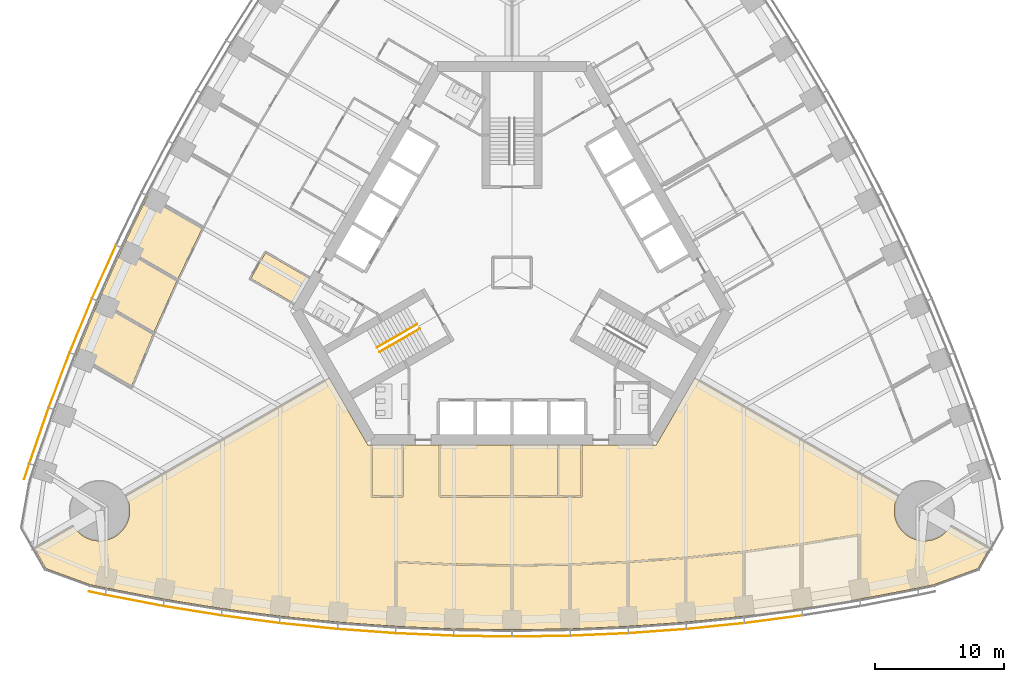
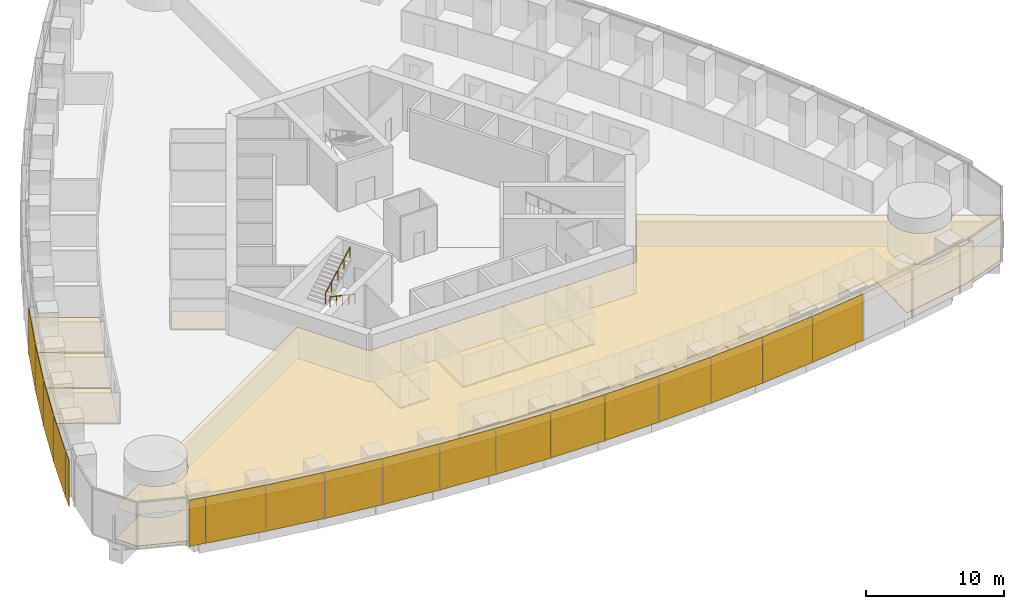
# One storey, part 15 of 19: 18 shading devices, 15 coverings, 2 railings.
"""IFC4 building model written with IfcOpenShell, lengths in metres."""

import ifcopenshell
import ifcopenshell.guid

model = None  # the IFC model being written
_history = None  # IfcOwnerHistory: only IFC2X3 demands one
_inside = {}  # id of a spatial element -> (the spatial element, [elements in it])
_under = {}  # id of a project, library or spatial element -> (it, [spatial elements below it])
_declared = {}  # id of a project -> (the project, [libraries it declares])
_typed = {}  # id of a type object -> (the type object, [elements of that type])
_made_of = {}  # id of a material, layer set ... -> (it, [elements and type objects made of it])


def new_model(schema):
    """Start an empty IFC model of exactly this schema.

    Asked for "IFC4X3", IfcOpenShell would pick the latest addendum, in which some entities
    have other attributes; the version numbers below select the first issue.
    IFC2X3 requires an IfcOwnerHistory on every rooted entity: one is made here for all.
    """
    global model, _history
    if schema == "IFC4X3":
        model = ifcopenshell.file(schema_version=(4, 3, 0, 0))
    else:
        model = ifcopenshell.file(schema=schema)
    _inside.clear()
    _under.clear()
    _declared.clear()
    _typed.clear()
    _made_of.clear()
    _history = None
    if model.schema == "IFC2X3":
        org = make("IfcOrganization", Name="unknown")
        user = make(
            "IfcPersonAndOrganization",
            ThePerson=make("IfcPerson", FamilyName="unknown"),
            TheOrganization=org,
        )
        app = make(
            "IfcApplication",
            ApplicationDeveloper=org,
            Version="unknown",
            ApplicationFullName="unknown",
            ApplicationIdentifier="unknown",
        )
        _history = make(
            "IfcOwnerHistory",
            OwningUser=user,
            OwningApplication=app,
            ChangeAction="ADDED",
            CreationDate=0,
        )
    return model


def make(cls, **values):
    """One entity of the class cls with the attributes given. An attribute that is None is left unset."""
    return model.create_entity(
        cls, **{name: value for name, value in values.items() if value is not None}
    )


def rooted(cls, **values):
    """An entity with a GlobalId (a new one), such as an element, a storey or a relation."""
    return make(cls, GlobalId=ifcopenshell.guid.new(), OwnerHistory=_history, **values)


def si_unit(unit_type, name, prefix=None):
    """IfcSIUnit, for example si_unit("LENGTHUNIT", "METRE", prefix="MILLI")."""
    return make("IfcSIUnit", UnitType=unit_type, Prefix=prefix, Name=name)


def assignment(units):
    """IfcUnitAssignment: the units of a project."""
    return None if units is None else make("IfcUnitAssignment", Units=units)


def point(xyz):
    """IfcCartesianPoint."""
    return None if xyz is None else make("IfcCartesianPoint", Coordinates=xyz)


def direction(xyz):
    """IfcDirection."""
    return None if xyz is None else make("IfcDirection", DirectionRatios=xyz)


def frame(location, z_axis=None, x_axis=None):
    """IfcAxis2Placement3D, a coordinate frame: its origin and axes. An axis left out is left unset."""
    return make(
        "IfcAxis2Placement3D",
        Location=point(location),
        Axis=direction(z_axis),
        RefDirection=direction(x_axis),
    )


def frame_2d(location, x_axis=None):
    """IfcAxis2Placement2D, a coordinate frame in the plane: its origin and x axis."""
    return make(
        "IfcAxis2Placement2D", Location=point(location), RefDirection=direction(x_axis)
    )


def origin():
    """The frame at (0, 0, 0) with its axes left unset."""
    return frame((0.0, 0.0, 0.0))


def origin_2d():
    """The frame at (0, 0) in the plane with its x axis left unset."""
    return frame_2d((0.0, 0.0))


def place(relative_to, where):
    """IfcLocalPlacement: puts the frame where relative to a parent placement (None: the world)."""
    return make(
        "IfcLocalPlacement", PlacementRelTo=relative_to, RelativePlacement=where
    )


def context(
    kind, dimensions, precision=None, world=None, true_north=None, identifier=None
):
    """IfcGeometricRepresentationContext, for example the 3D "Model" context."""
    return make(
        "IfcGeometricRepresentationContext",
        ContextIdentifier=identifier,
        ContextType=kind,
        CoordinateSpaceDimension=dimensions,
        Precision=precision,
        WorldCoordinateSystem=world,
        TrueNorth=true_north,
    )


def subcontext(parent, identifier, kind, view, scale=None):
    """IfcGeometricRepresentationSubContext, for example "Body" below "Model"."""
    return make(
        "IfcGeometricRepresentationSubContext",
        ContextIdentifier=identifier,
        ContextType=kind,
        ParentContext=parent,
        TargetScale=scale,
        TargetView=view,
    )


def project(units=None, contexts=None):
    """IfcProject with its units and contexts."""
    return rooted(
        "IfcProject",
        Name="project",
        RepresentationContexts=contexts,
        UnitsInContext=assignment(units),
    )


def spatial(cls, under=None, at=None, **own):
    """A site, building, storey or space (cls), placed at a placement, below another one or the project."""
    s = rooted(cls, ObjectPlacement=at, **own)
    if under is not None:
        _under.setdefault(under.id(), (under, []))[1].append(s)
    return s


def polyline(points):
    """IfcPolyline through the points."""
    return make("IfcPolyline", Points=[point(p) for p in points])


def profile(cls, at=None, kind="AREA", **sizes):
    """A parametric profile (cls). Its sizes go by their IFC names, for example OverallWidth=200.0."""
    return make(cls, ProfileType=kind, Position=at, **sizes)


def rectangle(**sizes):
    """IfcRectangleProfileDef."""
    return profile("IfcRectangleProfileDef", **sizes)


def circle(**sizes):
    """IfcCircleProfileDef."""
    return profile("IfcCircleProfileDef", **sizes)


def outline(outer, holes=None, kind="AREA"):
    """IfcArbitraryClosedProfileDef: a profile drawn as a closed curve; with holes, ...WithVoids."""
    if holes is None:
        return make("IfcArbitraryClosedProfileDef", ProfileType=kind, OuterCurve=outer)
    return make(
        "IfcArbitraryProfileDefWithVoids",
        ProfileType=kind,
        OuterCurve=outer,
        InnerCurves=holes,
    )


def extrude(swept, where, along, depth):
    """IfcExtrudedAreaSolid: the profile swept, set in the frame where, extruded along a direction by depth."""
    return make(
        "IfcExtrudedAreaSolid",
        SweptArea=swept,
        Position=where,
        ExtrudedDirection=direction(along),
        Depth=depth,
    )


def shape(context_of_items, identifier, shape_type, items):
    """IfcShapeRepresentation: the items that make up one representation, for example the "Body"."""
    return make(
        "IfcShapeRepresentation",
        ContextOfItems=context_of_items,
        RepresentationIdentifier=identifier,
        RepresentationType=shape_type,
        Items=items,
    )


def material(Name=None, Category=None):
    """IfcMaterial."""
    return make("IfcMaterial", Name=Name, Category=Category)


def layer(
    of_material, thickness, ventilated=None, Name=None, Category=None, Priority=None
):
    """IfcMaterialLayer: one layer of a wall or slab, of a material (None: an air gap)."""
    return make(
        "IfcMaterialLayer",
        Material=of_material,
        LayerThickness=thickness,
        IsVentilated=ventilated,
        Name=Name,
        Category=Category,
        Priority=Priority,
    )


def layer_set(layers, Name=None):
    """IfcMaterialLayerSet."""
    return make("IfcMaterialLayerSet", MaterialLayers=layers, LayerSetName=Name)


def made_of(thing, what):
    """Note that an element or type object is made of a material, layer set ...; save() writes the relation."""
    if what is not None:
        _made_of.setdefault(what.id(), (what, []))[1].append(thing)
    return thing


def type_object(cls, material=None, **own):
    """A type object (cls), such as IfcWallType, which elements share."""
    return made_of(rooted(cls, **own), material)


def element(
    cls,
    number,
    at=None,
    inside=None,
    cuts=None,
    type_object=None,
    material=None,
    context=None,
    identifier="Body",
    shape_type=None,
    held_by="IfcProductDefinitionShape",
    body=None,
    shapes=None,
    **own,
):
    """One element of the class cls, such as IfcWall. Its Tag is "e" and its number.

    at: its placement. inside: the storey or other place that contains it. cuts: it is an
    opening in that element (IfcRelVoidsElement). A single representation is given by context,
    identifier, shape_type and body (its items); several are given by shapes. held_by: the class
    of the entity that holds the representations. save() writes the other relations.
    """
    e = rooted(cls, Tag="e%d" % number, ObjectPlacement=at, **own)
    if body is not None:
        shapes = [shape(context, identifier, shape_type, body)]
    if shapes is not None:
        e.Representation = make(held_by, Representations=shapes)
    if inside is not None:
        _inside.setdefault(inside.id(), (inside, []))[1].append(e)
    if cuts is not None:
        rooted(
            "IfcRelVoidsElement", RelatingBuildingElement=cuts, RelatedOpeningElement=e
        )
    if type_object is not None:
        _typed.setdefault(type_object.id(), (type_object, []))[1].append(e)
    return made_of(e, material)


def aggregate(whole, parts):
    """IfcRelAggregates: a whole, such as a stair, and the parts it consists of."""
    return rooted("IfcRelAggregates", RelatingObject=whole, RelatedObjects=parts)


def save(model, path):
    """Write the relations noted so far, then the file.

    IfcRelAggregates (storeys below a building ...), IfcRelContainedInSpatialStructure (elements
    in a storey), IfcRelDefinesByType, IfcRelAssociatesMaterial and IfcRelDeclares: one each for
    every whole, place, type object, material and project.
    """
    for whole, parts in _under.values():
        aggregate(whole, parts)
    for where, things in _inside.values():
        rooted(
            "IfcRelContainedInSpatialStructure",
            RelatedElements=things,
            RelatingStructure=where,
        )
    for kind, things in _typed.values():
        rooted("IfcRelDefinesByType", RelatedObjects=things, RelatingType=kind)
    for what, things in _made_of.values():
        rooted("IfcRelAssociatesMaterial", RelatedObjects=things, RelatingMaterial=what)
    for by, libraries in _declared.values():
        rooted("IfcRelDeclares", RelatingContext=by, RelatedDefinitions=libraries)
    model.write(path)


model = new_model("IFC4")

# Units and contexts
model_context = context("Model", 3, precision=1e-05, world=origin(), true_north=direction((0.0, 1.0)))
body_context = subcontext(model_context, "Body", "Model", "MODEL_VIEW")
ifc_project = project(units=[si_unit("LENGTHUNIT", "METRE"), si_unit("AREAUNIT", "SQUARE_METRE"), si_unit("VOLUMEUNIT", "CUBIC_METRE"), si_unit("PLANEANGLEUNIT", "RADIAN"), si_unit("MASSUNIT", "GRAM", prefix="KILO")], contexts=[model_context])

# Site, building, storey
site_placement = place(None, origin())
site = spatial("IfcSite", under=ifc_project, at=site_placement, CompositionType="ELEMENT")
building_placement = place(site_placement, origin())
building = spatial("IfcBuilding", under=site, at=building_placement, Name="Trefoil Bronze Tower", CompositionType="ELEMENT")
storey_placement = place(building_placement, frame((0.0, 0.0, 20.699951171875)))
storey = spatial("IfcBuildingStorey", under=building, at=storey_placement, Name="L04", CompositionType="ELEMENT", Elevation=20.699951171875)

# Shading devices
ifc_material_1 = material(Name="Perforated bronze sheet", Category="bronze")
ifc_layer_1 = layer(ifc_material_1, 0.0400390625)
ifc_layer_set_1 = layer_set([ifc_layer_1], Name="Bronze solar screen panel")
shading_device_type = type_object("IfcShadingDeviceType", Name="Bronze solar screen panel", PredefinedType="SHUTTER", material=ifc_layer_set_1)
shading_device_1_placement = place(storey_placement, frame((-32.2431640625, -24.91064453125, 0.050048828125), z_axis=(0.0, 0.0, 1.0), x_axis=(0.978302717041, -0.207180582657, 0.0)))
element("IfcShadingDevice", 1, at=shading_device_1_placement, inside=storey, type_object=shading_device_type, Name="Solar screen CW-A L04 F1 bay 1", PredefinedType="SHUTTER", context=body_context, shape_type="SweptSolid", body=[
    extrude(rectangle(XDim=1.260498046875, YDim=0.0400390625, at=origin_2d()), origin(), (0.0, 0.0, 1.0), 4.10009765625),
])
shading_device_2_placement = place(storey_placement, frame((-29.351806640625, -25.478515625, 0.050048828125), z_axis=(0.0, 0.0, 1.0), x_axis=(0.982049823817, -0.188621694249, 0.0)))
element("IfcShadingDevice", 2, at=shading_device_2_placement, inside=storey, type_object=shading_device_type, Name="Solar screen CW-A L04 F1 bay 2", PredefinedType="SHUTTER", context=body_context, shape_type="SweptSolid", body=[
    extrude(rectangle(XDim=4.55224609375, YDim=0.0400390625, at=origin_2d()), origin(), (0.0, 0.0, 1.0), 4.10009765625),
])
shading_device_3_placement = place(storey_placement, frame((-24.836181640625, -26.277099609375, 0.050048828125), z_axis=(0.0, 0.0, 1.0), x_axis=(0.987181315145, -0.159602791421, 0.0)))
element("IfcShadingDevice", 3, at=shading_device_3_placement, inside=storey, type_object=shading_device_type, Name="Solar screen CW-A L04 F1 bay 3", PredefinedType="SHUTTER", context=body_context, shape_type="SweptSolid", body=[
    extrude(rectangle(XDim=4.5283203125, YDim=0.0400390625, at=origin_2d()), origin(), (0.0, 0.0, 1.0), 4.10009765625),
])
shading_device_4_placement = place(storey_placement, frame((-20.320556640625, -26.939697265625, 0.050048828125), z_axis=(0.0, 0.0, 1.0), x_axis=(0.991437251591, -0.130583981243, 0.0)))
element("IfcShadingDevice", 4, at=shading_device_4_placement, inside=storey, type_object=shading_device_type, Name="Solar screen CW-A L04 F1 bay 4", PredefinedType="SHUTTER", context=body_context, shape_type="SweptSolid", body=[
    extrude(rectangle(XDim=4.5087890625, YDim=0.0400390625, at=origin_2d()), origin(), (0.0, 0.0, 1.0), 4.10009765625),
])
shading_device_5_placement = place(storey_placement, frame((-15.804931640625, -27.467529296875, 0.050048828125), z_axis=(0.0, 0.0, 1.0), x_axis=(0.994828880293, -0.101565244717, 0.0)))
element("IfcShadingDevice", 5, at=shading_device_5_placement, inside=storey, type_object=shading_device_type, Name="Solar screen CW-A L04 F1 bay 5", PredefinedType="SHUTTER", context=body_context, shape_type="SweptSolid", body=[
    extrude(rectangle(XDim=4.493408203125, YDim=0.0400390625, at=origin_2d()), origin(), (0.0, 0.0, 1.0), 4.10009765625),
])
shading_device_6_placement = place(storey_placement, frame((-11.2890625, -27.8623046875, 0.050048828125), z_axis=(0.0, 0.0, 1.0), x_axis=(0.99736502647, -0.072546564177, 0.0)))
element("IfcShadingDevice", 6, at=shading_device_6_placement, inside=storey, type_object=shading_device_type, Name="Solar screen CW-A L04 F1 bay 6", PredefinedType="SHUTTER", context=body_context, shape_type="SweptSolid", body=[
    extrude(rectangle(XDim=4.48193359375, YDim=0.0400390625, at=origin_2d()), origin(), (0.0, 0.0, 1.0), 4.10009765625),
])
shading_device_7_placement = place(storey_placement, frame((-6.7734375, -28.124755859375, 0.050048828125), z_axis=(0.0, 0.0, 1.0), x_axis=(0.999052210809, -0.043527922969, 0.0)))
element("IfcShadingDevice", 7, at=shading_device_7_placement, inside=storey, type_object=shading_device_type, Name="Solar screen CW-A L04 F1 bay 7", PredefinedType="SHUTTER", context=body_context, shape_type="SweptSolid", body=[
    extrude(rectangle(XDim=4.474365234375, YDim=0.0400390625, at=origin_2d()), origin(), (0.0, 0.0, 1.0), 4.10009765625),
])
for number, where, z_axis, x_axis, name in (
    (8, (-2.2578125, -28.256103515625, 0.050048828125), (0.0, 0.0, 1.0), (0.999894734493, -0.014509305083, 0.0), "Solar screen CW-A L04 F1 bay 8"),
    (9, (2.2578125, -28.256103515625, 0.050048828125), (0.0, 0.0, 1.0), (0.999894734493, 0.014509305083, 0.0), "Solar screen CW-A L04 F1 bay 9"),
):
    element("IfcShadingDevice", number, at=place(storey_placement, frame(where, z_axis=z_axis, x_axis=x_axis)), inside=storey, type_object=shading_device_type, Name=name, PredefinedType="SHUTTER", context=body_context, shape_type="SweptSolid", body=[
        extrude(rectangle(XDim=4.470458984375, YDim=0.0400390625, at=origin_2d()), origin(), (0.0, 0.0, 1.0), 4.10009765625),
    ])
shading_device_8_placement = place(storey_placement, frame((6.7734375, -28.124755859375, 0.050048828125), z_axis=(0.0, 0.0, 1.0), x_axis=(0.999052210809, 0.043527922969, 0.0)))
element("IfcShadingDevice", 10, at=shading_device_8_placement, inside=storey, type_object=shading_device_type, Name="Solar screen CW-A L04 F1 bay 10", PredefinedType="SHUTTER", context=body_context, shape_type="SweptSolid", body=[
    extrude(rectangle(XDim=4.474365234375, YDim=0.0400390625, at=origin_2d()), origin(), (0.0, 0.0, 1.0), 4.10009765625),
])
shading_device_9_placement = place(storey_placement, frame((11.2890625, -27.8623046875, 0.050048828125), z_axis=(0.0, 0.0, 1.0), x_axis=(0.99736502647, 0.072546564177, 0.0)))
element("IfcShadingDevice", 11, at=shading_device_9_placement, inside=storey, type_object=shading_device_type, Name="Solar screen CW-A L04 F1 bay 11", PredefinedType="SHUTTER", context=body_context, shape_type="SweptSolid", body=[
    extrude(rectangle(XDim=4.48193359375, YDim=0.0400390625, at=origin_2d()), origin(), (0.0, 0.0, 1.0), 4.10009765625),
])
shading_device_10_placement = place(storey_placement, frame((15.804931640625, -27.467529296875, 0.050048828125), z_axis=(0.0, 0.0, 1.0), x_axis=(0.994828880293, 0.101565244717, 0.0)))
element("IfcShadingDevice", 12, at=shading_device_10_placement, inside=storey, type_object=shading_device_type, Name="Solar screen CW-A L04 F1 bay 12", PredefinedType="SHUTTER", context=body_context, shape_type="SweptSolid", body=[
    extrude(rectangle(XDim=4.493408203125, YDim=0.0400390625, at=origin_2d()), origin(), (0.0, 0.0, 1.0), 4.10009765625),
])
shading_device_11_placement = place(storey_placement, frame((20.320556640625, -26.939697265625, 0.050048828125), z_axis=(0.0, 0.0, 1.0), x_axis=(0.991437251591, 0.130583981243, 0.0)))
element("IfcShadingDevice", 13, at=shading_device_11_placement, inside=storey, type_object=shading_device_type, Name="Solar screen CW-A L04 F1 bay 13", PredefinedType="SHUTTER", context=body_context, shape_type="SweptSolid", body=[
    extrude(rectangle(XDim=4.5087890625, YDim=0.0400390625, at=origin_2d()), origin(), (0.0, 0.0, 1.0), 4.10009765625),
])
shading_device_12_placement = place(storey_placement, frame((-31.68994140625, 0.04638671875, 0.050048828125), z_axis=(0.0, 0.0, 1.0), x_axis=(-0.40945635808, -0.912329705111, 0.0)))
element("IfcShadingDevice", 14, at=shading_device_12_placement, inside=storey, type_object=shading_device_type, Name="Solar screen CW-A L04 F3 bay 12", PredefinedType="SHUTTER", context=body_context, shape_type="SweptSolid", body=[
    extrude(rectangle(XDim=4.493408203125, YDim=0.0400390625, at=origin_2d()), origin(), (0.0, 0.0, 1.0), 4.10009765625),
])
shading_device_13_placement = place(storey_placement, frame((-33.49072265625, -4.128173828125, 0.050048828125), z_axis=(0.0, 0.0, 1.0), x_axis=(-0.382629580712, -0.923901836758, 0.0)))
element("IfcShadingDevice", 15, at=shading_device_13_placement, inside=storey, type_object=shading_device_type, Name="Solar screen CW-A L04 F3 bay 13", PredefinedType="SHUTTER", context=body_context, shape_type="SweptSolid", body=[
    extrude(rectangle(XDim=4.5087890625, YDim=0.0400390625, at=origin_2d()), origin(), (0.0, 0.0, 1.0), 4.10009765625),
])
shading_device_14_placement = place(storey_placement, frame((-35.1748046875, -8.3701171875, 0.050048828125), z_axis=(0.0, 0.0, 1.0), x_axis=(-0.355370585687, -0.934725492767, 0.0)))
element("IfcShadingDevice", 16, at=shading_device_14_placement, inside=storey, type_object=shading_device_type, Name="Solar screen CW-A L04 F3 bay 14", PredefinedType="SHUTTER", context=body_context, shape_type="SweptSolid", body=[
    extrude(rectangle(XDim=4.5283203125, YDim=0.0400390625, at=origin_2d()), origin(), (0.0, 0.0, 1.0), 4.10009765625),
])
shading_device_15_placement = place(storey_placement, frame((-36.740966796875, -12.68017578125, 0.050048828125), z_axis=(0.0, 0.0, 1.0), x_axis=(-0.327673732984, -0.944790942332, 0.0)))
element("IfcShadingDevice", 17, at=shading_device_15_placement, inside=storey, type_object=shading_device_type, Name="Solar screen CW-A L04 F3 bay 15", PredefinedType="SHUTTER", context=body_context, shape_type="SweptSolid", body=[
    extrude(rectangle(XDim=4.55224609375, YDim=0.0400390625, at=origin_2d()), origin(), (0.0, 0.0, 1.0), 4.10009765625),
])
shading_device_16_placement = place(storey_placement, frame((-37.69482421875, -15.468017578125, 0.050048828125), z_axis=(0.0, 0.0, 1.0), x_axis=(-0.309727710769, -0.950825296877, 0.0)))
element("IfcShadingDevice", 18, at=shading_device_16_placement, inside=storey, type_object=shading_device_type, Name="Solar screen CW-A L04 F3 bay 16", PredefinedType="SHUTTER", context=body_context, shape_type="SweptSolid", body=[
    extrude(rectangle(XDim=1.260498046875, YDim=0.0400390625, at=origin_2d()), origin(), (0.0, 0.0, 1.0), 4.10009765625),
])

# Railings
ifc_material_2 = material(Name="Steel handrail", Category="steel")
railing_type = type_object("IfcRailingType", Name="Handrail 900", PredefinedType="HANDRAIL", material=ifc_material_2)
railing_1_placement = place(storey_placement, frame((-7.166015625, -4.3681640625, 0.16162109375)))
element("IfcRailing", 19, at=railing_1_placement, inside=storey, type_object=railing_type, Name="Handrail ST3 flight 1 L04", PredefinedType="HANDRAIL", context=body_context, shape_type="SweptSolid", body=[
    extrude(circle(Radius=0.02392578125, at=origin_2d()), frame((0.0, 0.0, 0.8759765625), z_axis=(-0.76250339821, -0.440245697338, 0.474101564745), x_axis=(0.500012057535, -0.866018442252, 0.0)), (0.0, 0.0, 1.0), 4.088623046875),
    extrude(circle(Radius=0.02099609375, at=origin_2d()), origin(), (0.0, 0.0, 1.0), 0.851806640625),
    extrude(circle(Radius=0.02099609375, at=origin_2d()), frame((-0.779296875, -0.449951171875, 0.484619140625)), (0.0, 0.0, 1.0), 0.851806640625),
    extrude(circle(Radius=0.02099609375, at=origin_2d()), frame((-1.558837890625, -0.89990234375, 0.96923828125)), (0.0, 0.0, 1.0), 0.851806640625),
    extrude(circle(Radius=0.02099609375, at=origin_2d()), frame((-2.33837890625, -1.35009765625, 1.453857421875)), (0.0, 0.0, 1.0), 0.851806640625),
    extrude(circle(Radius=0.02099609375, at=origin_2d()), frame((-3.11767578125, -1.800048828125, 1.9384765625)), (0.0, 0.0, 1.0), 0.851806640625),
])
railing_2_placement = place(storey_placement, frame((-10.483642578125, -5.82177734375, 2.261474609375)))
element("IfcRailing", 20, at=railing_2_placement, inside=storey, type_object=railing_type, Name="Handrail ST3 flight 2 L04", PredefinedType="HANDRAIL", context=body_context, shape_type="SweptSolid", body=[
    extrude(circle(Radius=0.02392578125, at=origin_2d()), frame((0.0, 0.0, 0.8759765625), z_axis=(0.76250339821, 0.440245697338, 0.474101564745), x_axis=(-0.500012057535, 0.866018442252, 0.0)), (0.0, 0.0, 1.0), 4.088623046875),
    extrude(circle(Radius=0.02099609375, at=origin_2d()), origin(), (0.0, 0.0, 1.0), 0.851806640625),
    extrude(circle(Radius=0.02099609375, at=origin_2d()), frame((0.779296875, 0.449951171875, 0.484619140625)), (0.0, 0.0, 1.0), 0.851806640625),
    extrude(circle(Radius=0.02099609375, at=origin_2d()), frame((1.558837890625, 0.89990234375, 0.96923828125)), (0.0, 0.0, 1.0), 0.851806640625),
    extrude(circle(Radius=0.02099609375, at=origin_2d()), frame((2.33837890625, 1.35009765625, 1.453857421875)), (0.0, 0.0, 1.0), 0.851806640625),
    extrude(circle(Radius=0.02099609375, at=origin_2d()), frame((3.11767578125, 1.800048828125, 1.9384765625)), (0.0, 0.0, 1.0), 0.851806640625),
])

# Coverings
ifc_material_3 = material(Name="Acoustic ceiling panels", Category="mineral fibre")
ifc_layer_2 = layer(ifc_material_3, 0.02001953125)
ifc_layer_set_2 = layer_set([ifc_layer_2], Name="Office ceiling 20")
covering_type_1 = type_object("IfcCoveringType", Name="Office ceiling 20", PredefinedType="CEILING", material=ifc_layer_set_2)
covering_1_placement = place(storey_placement, frame((0.0, 0.0, 2.900146484375)))
element("IfcCovering", 21, at=covering_1_placement, inside=storey, type_object=covering_type_1, Name="Ceiling L04 Open-plan office F1", PredefinedType="CEILING", context=body_context, shape_type="SweptSolid", body=[
    extrude(outline(polyline([(-33.996826171875, -19.8056640625), (-33.930419921875, -19.89990234375), (-33.859619140625, -19.99072265625), (-33.7841796875, -20.078125), (-33.70458984375, -20.16162109375), (-33.62109375, -20.2412109375), (-33.53369140625, -20.316650390625), (-33.44287109375, -20.387451171875), (-33.348388671875, -20.4541015625), (-33.251220703125, -20.515625), (-33.150634765625, -20.572509765625), (-33.047607421875, -20.62451171875), (-32.942138671875, -20.671142578125), (-32.834716796875, -20.712646484375), (-32.72509765625, -20.748779296875), (-32.614013671875, -20.779541015625), (-32.50146484375, -20.8046875), (-32.3876953125, -20.82470703125), (-32.273193359375, -20.838623046875), (-32.158203125, -20.84716796875), (-32.04296875, -20.85009765625), (-31.927490234375, -20.84716796875), (-31.8125, -20.838623046875), (-31.697998046875, -20.82470703125), (-31.58447265625, -20.8046875), (-31.471923828125, -20.779541015625), (-31.36083984375, -20.748779296875), (-31.251220703125, -20.712646484375), (-31.1435546875, -20.671142578125), (-31.0380859375, -20.62451171875), (-30.935302734375, -20.572509765625), (-30.834716796875, -20.515625), (-30.7373046875, -20.4541015625), (-30.64306640625, -20.387451171875), (-30.552001953125, -20.316650390625), (-30.46484375, -20.2412109375), (-30.381103515625, -20.16162109375), (-30.3017578125, -20.078125), (-30.226318359375, -19.99072265625), (-30.155517578125, -19.89990234375), (-30.089111328125, -19.8056640625), (-30.02734375, -19.7080078125), (-29.970458984375, -19.60791015625), (-29.918701171875, -19.5048828125), (-29.871826171875, -19.3994140625), (-29.830322265625, -19.291748046875), (-29.794189453125, -19.18212890625), (-29.763427734375, -19.071044921875), (-29.738037109375, -18.95849609375), (-29.718505859375, -18.8447265625), (-29.704345703125, -18.730224609375), (-29.69580078125, -18.615234375), (-29.69287109375, -18.5), (-29.69580078125, -18.384765625), (-29.704345703125, -18.269775390625), (-29.718505859375, -18.1552734375), (-29.738037109375, -18.04150390625), (-29.763427734375, -17.928955078125), (-29.794189453125, -17.81787109375), (-29.830322265625, -17.708251953125), (-29.871826171875, -17.6005859375), (-29.918701171875, -17.4951171875), (-29.970458984375, -17.39208984375), (-30.001953125, -17.336669921875), (-14.19970703125, -8.205322265625), (-11.20068359375, -13.39990234375), (11.20068359375, -13.39990234375), (14.19970703125, -8.205322265625), (30.001953125, -17.336669921875), (29.970458984375, -17.39208984375), (29.918701171875, -17.4951171875), (29.871826171875, -17.6005859375), (29.830322265625, -17.708251953125), (29.794189453125, -17.81787109375), (29.763427734375, -17.928955078125), (29.738037109375, -18.04150390625), (29.718505859375, -18.1552734375), (29.704345703125, -18.269775390625), (29.69580078125, -18.384765625), (29.69287109375, -18.5), (29.69580078125, -18.615234375), (29.704345703125, -18.730224609375), (29.718505859375, -18.8447265625), (29.738037109375, -18.95849609375), (29.763427734375, -19.071044921875), (29.794189453125, -19.18212890625), (29.830322265625, -19.291748046875), (29.871826171875, -19.3994140625), (29.918701171875, -19.5048828125), (29.970458984375, -19.60791015625), (30.02734375, -19.7080078125), (30.089111328125, -19.8056640625), (30.155517578125, -19.89990234375), (30.226318359375, -19.99072265625), (30.3017578125, -20.078125), (30.381103515625, -20.16162109375), (30.46484375, -20.2412109375), (30.552001953125, -20.316650390625), (30.64306640625, -20.387451171875), (30.7373046875, -20.4541015625), (30.834716796875, -20.515625), (30.935302734375, -20.572509765625), (31.0380859375, -20.62451171875), (31.1435546875, -20.671142578125), (31.251220703125, -20.712646484375), (31.36083984375, -20.748779296875), (31.471923828125, -20.779541015625), (31.58447265625, -20.8046875), (31.697998046875, -20.82470703125), (31.8125, -20.838623046875), (31.927490234375, -20.84716796875), (32.04296875, -20.85009765625), (32.158203125, -20.84716796875), (32.273193359375, -20.838623046875), (32.3876953125, -20.82470703125), (32.50146484375, -20.8046875), (32.614013671875, -20.779541015625), (32.72509765625, -20.748779296875), (32.834716796875, -20.712646484375), (32.942138671875, -20.671142578125), (33.047607421875, -20.62451171875), (33.150634765625, -20.572509765625), (33.251220703125, -20.515625), (33.348388671875, -20.4541015625), (33.44287109375, -20.387451171875), (33.53369140625, -20.316650390625), (33.62109375, -20.2412109375), (33.70458984375, -20.16162109375), (33.7841796875, -20.078125), (33.859619140625, -19.99072265625), (33.930419921875, -19.89990234375), (33.996826171875, -19.8056640625), (34.0703125, -19.6875), (37.094482421875, -21.43505859375), (36.190673828125, -23.0009765625), (32.762451171875, -24.248779296875), (31.5, -24.51611328125), (27.0, -25.38037109375), (22.5, -26.10791015625), (18.0, -26.70068359375), (13.5, -27.159912109375), (9.0, -27.4873046875), (4.5, -27.683349609375), (0.0, -27.748779296875), (-4.5, -27.683349609375), (-9.0, -27.4873046875), (-13.5, -27.159912109375), (-18.0, -26.70068359375), (-22.5, -26.10791015625), (-27.0, -25.38037109375), (-31.5, -24.51611328125), (-32.762451171875, -24.248779296875), (-36.190673828125, -23.0009765625), (-37.094482421875, -21.43505859375), (-34.0703125, -19.6875), (-33.996826171875, -19.8056640625)])), origin(), (0.0, 0.0, 1.0), 0.02001953125),
])
ifc_material_4 = material(Name="Raised access floor panels", Category="steel")
ifc_layer_3 = layer(ifc_material_4, 0.050048828125)
ifc_layer_set_3 = layer_set([ifc_layer_3], Name="Raised access floor 150")
covering_type_2 = type_object("IfcCoveringType", Name="Raised access floor 150", PredefinedType="FLOORING", material=ifc_layer_set_3)
covering_2_placement = place(storey_placement, frame((0.0, 0.0, 0.10009765625)))
element("IfcCovering", 22, at=covering_2_placement, inside=storey, type_object=covering_type_2, Name="Raised floor L04 Meeting room F1", PredefinedType="FLOORING", context=body_context, shape_type="SweptSolid", body=[
    extrude(outline(polyline([(-0.06005859375, -13.39990234375), (-0.06005859375, -17.340087890625), (-5.5400390625, -17.340087890625), (-5.5400390625, -13.39990234375), (-0.06005859375, -13.39990234375)])), origin(), (0.0, 0.0, 1.0), 0.050048828125),
])
covering_3_placement = place(storey_placement, frame((0.0, 0.0, 0.10009765625)))
element("IfcCovering", 23, at=covering_3_placement, inside=storey, type_object=covering_type_2, Name="Raised floor L04 Meeting room F1", PredefinedType="FLOORING", context=body_context, shape_type="SweptSolid", body=[
    extrude(outline(polyline([(3.5400390625, -13.39990234375), (3.5400390625, -17.340087890625), (0.06005859375, -17.340087890625), (0.06005859375, -13.39990234375), (3.5400390625, -13.39990234375)])), origin(), (0.0, 0.0, 1.0), 0.050048828125),
])
covering_4_placement = place(storey_placement, frame((0.0, 0.0, 0.10009765625)))
element("IfcCovering", 24, at=covering_4_placement, inside=storey, type_object=covering_type_2, Name="Raised floor L04 Phone room F1", PredefinedType="FLOORING", context=body_context, shape_type="SweptSolid", body=[
    extrude(outline(polyline([(5.340087890625, -13.39990234375), (5.340087890625, -17.340087890625), (3.659912109375, -17.340087890625), (3.659912109375, -13.39990234375), (5.340087890625, -13.39990234375)])), origin(), (0.0, 0.0, 1.0), 0.050048828125),
])
covering_5_placement = place(storey_placement, frame((0.0, 0.0, 0.10009765625)))
element("IfcCovering", 25, at=covering_5_placement, inside=storey, type_object=covering_type_2, Name="Raised floor L04 Print and store room F1", PredefinedType="FLOORING", context=body_context, shape_type="SweptSolid", body=[
    extrude(outline(polyline([(-8.56005859375, -13.39990234375), (-8.56005859375, -17.340087890625), (-10.840087890625, -17.340087890625), (-10.840087890625, -13.39990234375), (-8.56005859375, -13.39990234375)])), origin(), (0.0, 0.0, 1.0), 0.050048828125),
])
covering_6_placement = place(storey_placement, frame((0.0, 0.0, 0.10009765625)))
element("IfcCovering", 26, at=covering_6_placement, inside=storey, type_object=covering_type_2, Name="Raised floor L04 Kitchen and breakout F1", PredefinedType="FLOORING", context=body_context, shape_type="SweptSolid", body=[
    extrude(outline(polyline([(-4.5, -27.683349609375), (-9.0, -27.4873046875), (-9.0, -25.90478515625), (-8.93994140625, -25.90478515625), (-8.93994140625, -22.550048828125), (-4.502685546875, -22.743408203125), (-4.5, -22.683349609375), (-4.5009765625, -22.743408203125), (-0.06005859375, -22.807861328125), (-0.06005859375, -26.168701171875), (0.0, -26.168701171875), (0.0, -27.748779296875), (-4.5, -27.683349609375)])), origin(), (0.0, 0.0, 1.0), 0.050048828125),
])
covering_7_placement = place(storey_placement, frame((0.0, 0.0, 0.10009765625)))
element("IfcCovering", 27, at=covering_7_placement, inside=storey, type_object=covering_type_2, Name="Raised floor L04 Office F1", PredefinedType="FLOORING", context=body_context, shape_type="SweptSolid", body=[
    extrude(outline(polyline([(4.5, -27.683349609375), (0.0, -27.748779296875), (0.0, -26.168701171875), (0.06005859375, -26.168701171875), (0.06005859375, -22.807861328125), (4.43994140625, -22.744384765625), (4.43994140625, -26.102783203125), (4.5, -26.102783203125), (4.5, -27.683349609375)])), origin(), (0.0, 0.0, 1.0), 0.050048828125),
])
covering_8_placement = place(storey_placement, frame((0.0, 0.0, 0.10009765625)))
element("IfcCovering", 28, at=covering_8_placement, inside=storey, type_object=covering_type_2, Name="Raised floor L04 Office F1", PredefinedType="FLOORING", context=body_context, shape_type="SweptSolid", body=[
    extrude(outline(polyline([(9.0, -27.4873046875), (4.5, -27.683349609375), (4.5, -26.102783203125), (4.56005859375, -26.102783203125), (4.56005859375, -22.740966796875), (8.93994140625, -22.550048828125), (8.93994140625, -25.90478515625), (9.0, -25.90478515625), (9.0, -27.4873046875)])), origin(), (0.0, 0.0, 1.0), 0.050048828125),
])
covering_9_placement = place(storey_placement, frame((0.0, 0.0, 0.10009765625)))
element("IfcCovering", 29, at=covering_9_placement, inside=storey, type_object=covering_type_2, Name="Raised floor L04 Office F1", PredefinedType="FLOORING", context=body_context, shape_type="SweptSolid", body=[
    extrude(outline(polyline([(13.5, -27.159912109375), (9.0, -27.4873046875), (9.0, -25.90478515625), (9.06005859375, -25.90478515625), (9.06005859375, -22.543212890625), (13.43994140625, -22.224609375), (13.43994140625, -25.573974609375), (13.5, -25.573974609375), (13.5, -27.159912109375)])), origin(), (0.0, 0.0, 1.0), 0.050048828125),
])
covering_10_placement = place(storey_placement, frame((0.0, 0.0, 0.10009765625)))
element("IfcCovering", 30, at=covering_10_placement, inside=storey, type_object=covering_type_2, Name="Raised floor L04 Office F1", PredefinedType="FLOORING", context=body_context, shape_type="SweptSolid", body=[
    extrude(outline(polyline([(18.0, -26.70068359375), (13.5, -27.159912109375), (13.5, -25.573974609375), (13.56005859375, -25.573974609375), (13.56005859375, -22.214111328125), (17.93994140625, -21.76708984375), (17.93994140625, -25.10986328125), (18.0, -25.10986328125), (18.0, -26.70068359375)])), origin(), (0.0, 0.0, 1.0), 0.050048828125),
])
covering_11_placement = place(storey_placement, frame((0.0, 0.0, 0.10009765625)))
element("IfcCovering", 31, at=covering_11_placement, inside=storey, type_object=covering_type_2, Name="Raised floor L04 Open-plan office F1", PredefinedType="FLOORING", context=body_context, shape_type="SweptSolid", body=[
    extrude(outline(polyline([(-11.20068359375, -13.39990234375), (-10.9599609375, -13.39990234375), (-10.9599609375, -17.39990234375), (-10.89990234375, -17.39990234375), (-10.89990234375, -17.4599609375), (-8.5, -17.4599609375), (-8.5, -17.39990234375), (-8.43994140625, -17.39990234375), (-8.43994140625, -13.39990234375), (-5.659912109375, -13.39990234375), (-5.659912109375, -17.39990234375), (-5.60009765625, -17.39990234375), (-5.60009765625, -17.4599609375), (5.39990234375, -17.4599609375), (5.39990234375, -17.39990234375), (5.4599609375, -17.39990234375), (5.4599609375, -13.39990234375), (11.20068359375, -13.39990234375), (14.19970703125, -8.205322265625), (30.001953125, -17.336669921875), (29.970458984375, -17.39208984375), (29.918701171875, -17.4951171875), (29.871826171875, -17.6005859375), (29.830322265625, -17.708251953125), (29.794189453125, -17.81787109375), (29.763427734375, -17.928955078125), (29.738037109375, -18.04150390625), (29.718505859375, -18.1552734375), (29.704345703125, -18.269775390625), (29.69580078125, -18.384765625), (29.69287109375, -18.5), (29.69580078125, -18.615234375), (29.704345703125, -18.730224609375), (29.718505859375, -18.8447265625), (29.738037109375, -18.95849609375), (29.763427734375, -19.071044921875), (29.794189453125, -19.18212890625), (29.830322265625, -19.291748046875), (29.871826171875, -19.3994140625), (29.918701171875, -19.5048828125), (29.970458984375, -19.60791015625), (30.02734375, -19.7080078125), (30.089111328125, -19.8056640625), (30.155517578125, -19.89990234375), (30.226318359375, -19.99072265625), (30.3017578125, -20.078125), (30.381103515625, -20.16162109375), (30.46484375, -20.2412109375), (30.552001953125, -20.316650390625), (30.64306640625, -20.387451171875), (30.7373046875, -20.4541015625), (30.834716796875, -20.515625), (30.935302734375, -20.572509765625), (31.0380859375, -20.62451171875), (31.1435546875, -20.671142578125), (31.251220703125, -20.712646484375), (31.36083984375, -20.748779296875), (31.471923828125, -20.779541015625), (31.58447265625, -20.8046875), (31.697998046875, -20.82470703125), (31.8125, -20.838623046875), (31.927490234375, -20.84716796875), (32.04296875, -20.85009765625), (32.158203125, -20.84716796875), (32.273193359375, -20.838623046875), (32.3876953125, -20.82470703125), (32.50146484375, -20.8046875), (32.614013671875, -20.779541015625), (32.72509765625, -20.748779296875), (32.834716796875, -20.712646484375), (32.942138671875, -20.671142578125), (33.047607421875, -20.62451171875), (33.150634765625, -20.572509765625), (33.251220703125, -20.515625), (33.348388671875, -20.4541015625), (33.44287109375, -20.387451171875), (33.53369140625, -20.316650390625), (33.62109375, -20.2412109375), (33.70458984375, -20.16162109375), (33.7841796875, -20.078125), (33.859619140625, -19.99072265625), (33.930419921875, -19.89990234375), (33.996826171875, -19.8056640625), (34.0703125, -19.6875), (37.094482421875, -21.43505859375), (36.190673828125, -23.0009765625), (32.762451171875, -24.248779296875), (31.5, -24.51611328125), (27.0, -25.38037109375), (27.0, -23.77587890625), (27.06005859375, -23.77587890625), (27.06005859375, -20.38037109375), (27.0, -20.38037109375), (26.990478515625, -20.321044921875), (22.4912109375, -21.048583984375), (17.992919921875, -21.64111328125), (13.494873046875, -22.100341796875), (8.99658203125, -22.427490234375), (4.498291015625, -22.623291015625), (0.0, -22.688720703125), (-4.130126953125, -22.62890625), (-4.866455078125, -22.607421875), (-8.997314453125, -22.427490234375), (-9.0, -22.4873046875), (-9.06005859375, -22.4873046875), (-9.06005859375, -25.90478515625), (-9.0, -25.90478515625), (-9.0, -27.4873046875), (-13.5, -27.159912109375), (-18.0, -26.70068359375), (-22.5, -26.10791015625), (-27.0, -25.38037109375), (-31.5, -24.51611328125), (-32.762451171875, -24.248779296875), (-36.190673828125, -23.0009765625), (-37.094482421875, -21.43505859375), (-34.0703125, -19.6875), (-33.996826171875, -19.8056640625), (-33.930419921875, -19.89990234375), (-33.859619140625, -19.99072265625), (-33.7841796875, -20.078125), (-33.70458984375, -20.16162109375), (-33.62109375, -20.2412109375), (-33.53369140625, -20.316650390625), (-33.44287109375, -20.387451171875), (-33.348388671875, -20.4541015625), (-33.251220703125, -20.515625), (-33.150634765625, -20.572509765625), (-33.047607421875, -20.62451171875), (-32.942138671875, -20.671142578125), (-32.834716796875, -20.712646484375), (-32.72509765625, -20.748779296875), (-32.614013671875, -20.779541015625), (-32.50146484375, -20.8046875), (-32.3876953125, -20.82470703125), (-32.273193359375, -20.838623046875), (-32.158203125, -20.84716796875), (-32.04296875, -20.85009765625), (-31.927490234375, -20.84716796875), (-31.8125, -20.838623046875), (-31.697998046875, -20.82470703125), (-31.58447265625, -20.8046875), (-31.471923828125, -20.779541015625), (-31.36083984375, -20.748779296875), (-31.251220703125, -20.712646484375), (-31.1435546875, -20.671142578125), (-31.0380859375, -20.62451171875), (-30.935302734375, -20.572509765625), (-30.834716796875, -20.515625), (-30.7373046875, -20.4541015625), (-30.64306640625, -20.387451171875), (-30.552001953125, -20.316650390625), (-30.46484375, -20.2412109375), (-30.381103515625, -20.16162109375), (-30.3017578125, -20.078125), (-30.226318359375, -19.99072265625), (-30.155517578125, -19.89990234375), (-30.089111328125, -19.8056640625), (-30.02734375, -19.7080078125), (-29.970458984375, -19.60791015625), (-29.918701171875, -19.5048828125), (-29.871826171875, -19.3994140625), (-29.830322265625, -19.291748046875), (-29.794189453125, -19.18212890625), (-29.763427734375, -19.071044921875), (-29.738037109375, -18.95849609375), (-29.718505859375, -18.8447265625), (-29.704345703125, -18.730224609375), (-29.69580078125, -18.615234375), (-29.69287109375, -18.5), (-29.69580078125, -18.384765625), (-29.704345703125, -18.269775390625), (-29.718505859375, -18.1552734375), (-29.738037109375, -18.04150390625), (-29.763427734375, -17.928955078125), (-29.794189453125, -17.81787109375), (-29.830322265625, -17.708251953125), (-29.871826171875, -17.6005859375), (-29.918701171875, -17.4951171875), (-29.970458984375, -17.39208984375), (-30.001953125, -17.336669921875), (-14.19970703125, -8.205322265625), (-11.20068359375, -13.39990234375)])), origin(), (0.0, 0.0, 1.0), 0.050048828125),
])
covering_12_placement = place(storey_placement, frame((0.0, 0.0, 0.10009765625)))
element("IfcCovering", 32, at=covering_12_placement, inside=storey, type_object=covering_type_2, Name="Raised floor L04 Print and store room F3", PredefinedType="FLOORING", context=body_context, shape_type="SweptSolid", body=[
    extrude(outline(polyline([(-16.874755859375, -2.427978515625), (-20.286865234375, -0.4580078125), (-19.14697265625, 1.5166015625), (-15.734619140625, -0.453369140625), (-16.874755859375, -2.427978515625)])), origin(), (0.0, 0.0, 1.0), 0.050048828125),
])
covering_13_placement = place(storey_placement, frame((0.0, 0.0, 0.10009765625)))
element("IfcCovering", 33, at=covering_13_placement, inside=storey, type_object=covering_type_2, Name="Raised floor L04 Office F3", PredefinedType="FLOORING", context=body_context, shape_type="SweptSolid", body=[
    extrude(outline(polyline([(-30.271240234375, 1.888671875), (-28.3046875, 5.949462890625), (-26.93408203125, 5.158203125), (-26.964111328125, 5.106201171875), (-24.052978515625, 3.42529296875), (-25.967041015625, -0.527099609375), (-28.867919921875, 1.147705078125), (-28.897705078125, 1.095703125), (-30.271240234375, 1.888671875)])), origin(), (0.0, 0.0, 1.0), 0.050048828125),
])
covering_14_placement = place(storey_placement, frame((0.0, 0.0, 0.10009765625)))
element("IfcCovering", 34, at=covering_14_placement, inside=storey, type_object=covering_type_2, Name="Raised floor L04 Office F3", PredefinedType="FLOORING", context=body_context, shape_type="SweptSolid", body=[
    extrude(outline(polyline([(-30.271240234375, 1.888671875), (-28.897705078125, 1.095703125), (-28.927734375, 1.043701171875), (-26.01806640625, -0.63623046875), (-27.82080078125, -4.653076171875), (-30.7158203125, -2.9814453125), (-30.745849609375, -3.033447265625), (-32.123291015625, -2.23828125), (-30.271240234375, 1.888671875)])), origin(), (0.0, 0.0, 1.0), 0.050048828125),
])
covering_15_placement = place(storey_placement, frame((0.0, 0.0, 0.10009765625)))
element("IfcCovering", 35, at=covering_15_placement, inside=storey, type_object=covering_type_2, Name="Raised floor L04 Office F3", PredefinedType="FLOORING", context=body_context, shape_type="SweptSolid", body=[
    extrude(outline(polyline([(-33.860107421875, -6.431640625), (-32.123291015625, -2.23828125), (-30.745849609375, -3.033447265625), (-30.77587890625, -3.08544921875), (-27.868896484375, -4.763916015625), (-29.55908203125, -8.845458984375), (-32.447265625, -7.177978515625), (-32.477294921875, -7.22998046875), (-33.860107421875, -6.431640625)])), origin(), (0.0, 0.0, 1.0), 0.050048828125),
])

save(model, "model.ifc")
